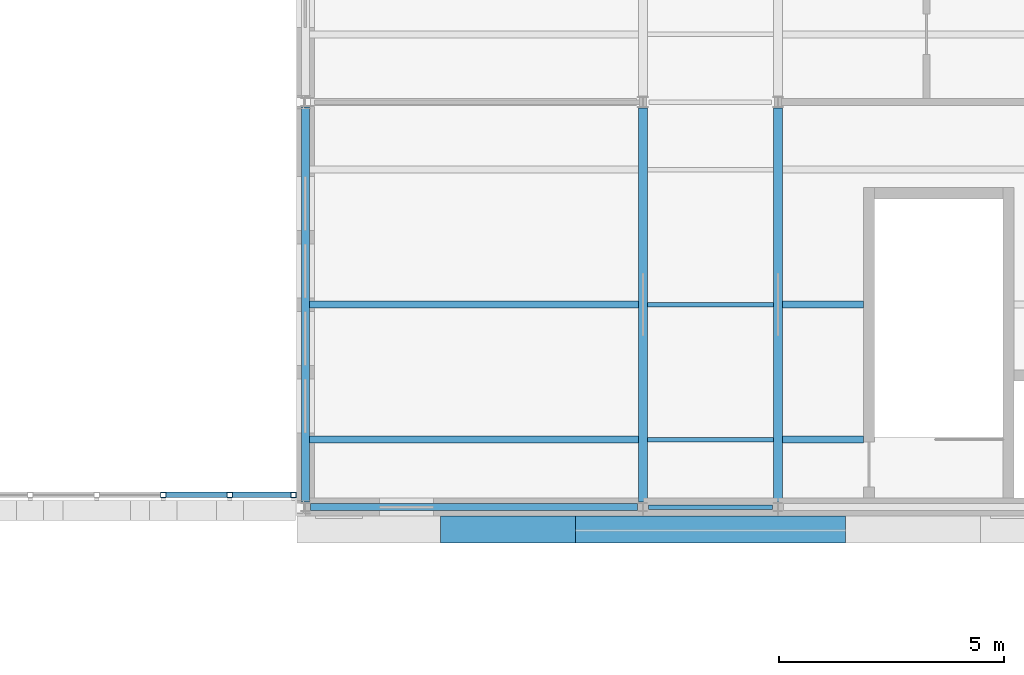
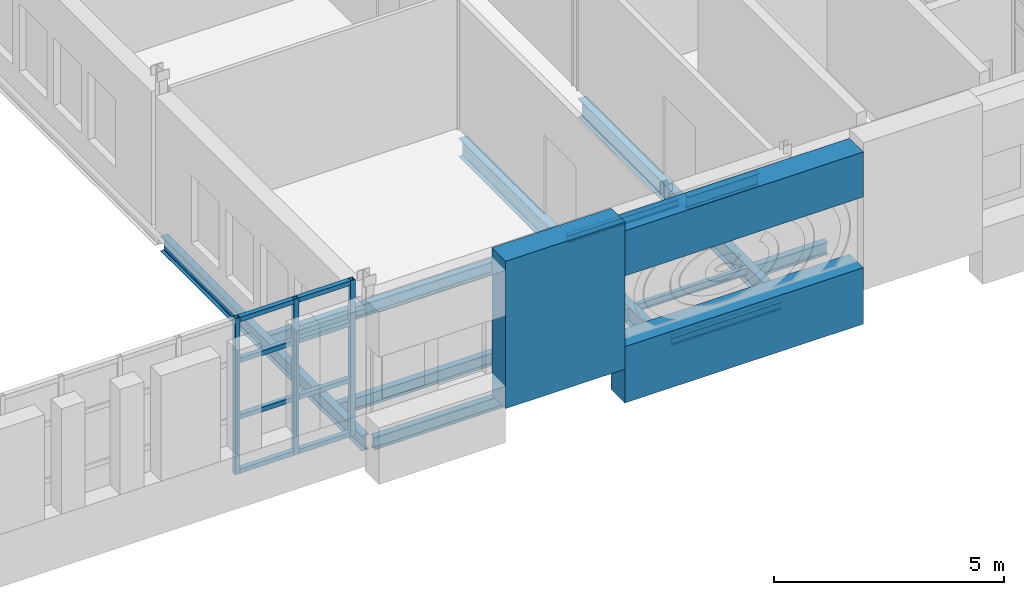
# One storey, part 26 of 154: 13 beams, 12 members, 1 element without a shape of its own.
"""IFC4 building model written with IfcOpenShell, lengths in metres."""

from ifc_helpers import new_model, si_unit, direction, frame, origin, origin_2d, place, context, subcontext, project, spatial, rectangle, hollow_rectangle, i_section, extrude, material, material_profile, profile_set, type_object, element, aggregate, save


model = new_model("IFC4")

# Units and contexts
model_context = context("Model", 3, precision=1e-05, world=origin(), true_north=direction((0.0, 1.0)))
body_context = subcontext(model_context, "Body", "Model", "MODEL_VIEW")
ifc_project = project(units=[si_unit("LENGTHUNIT", "METRE"), si_unit("AREAUNIT", "SQUARE_METRE"), si_unit("VOLUMEUNIT", "CUBIC_METRE"), si_unit("PLANEANGLEUNIT", "RADIAN"), si_unit("MASSUNIT", "GRAM", prefix="KILO")], contexts=[model_context])

# Site, building, storey
site_placement = place(None, origin())
site = spatial("IfcSite", under=ifc_project, at=site_placement, CompositionType="ELEMENT")
building_placement = place(site_placement, origin())
building = spatial("IfcBuilding", under=site, at=building_placement, Name="Golden Quay Civic Hall", CompositionType="ELEMENT")
storey_placement = place(building_placement, frame((0.0, 0.0, 14.39990234375)))
storey = spatial("IfcBuildingStorey", under=building, at=storey_placement, Name="L03", CompositionType="ELEMENT", Elevation=14.39990234375)

# Member
ifc_material_1 = material(Name="Concrete C40/50", Category="concrete")
ifc_material_profile_1 = material_profile(ifc_material_1, rectangle(XDim=3.0, YDim=0.60009765625, at=origin_2d()), Name="RC 3000x600")
ifc_profile_set_1 = profile_set([ifc_material_profile_1], Name="Concrete C40/50")
member_type_1 = type_object("IfcMemberType", Name="Precast concrete facade pier 3000 x 600", PredefinedType="POST", material=ifc_profile_set_1)
member_1_placement = place(storey_placement, frame((103.5, -0.5, 0.0), z_axis=(0.0, 0.0, 1.0), x_axis=(1.0, 0.0, 0.0)))
element("IfcMember", 1, at=member_1_placement, inside=storey, type_object=member_type_1, Name="Precast concrete facade pier 3000 x 600 L03 33", PredefinedType="POST", context=body_context, shape_type="SweptSolid", body=[
    extrude(rectangle(XDim=3.0, YDim=0.60009765625, at=origin_2d()), origin(), (0.0, 0.0, 1.0), 3.920166015625),
])

# Beams
ifc_material_2 = material(Name="Concrete C40/50", Category="concrete")
ifc_material_profile_2 = material_profile(ifc_material_2, rectangle(XDim=0.60009765625, YDim=1.199951171875, at=origin_2d()), Name="RC 600x1200")
ifc_profile_set_2 = profile_set([ifc_material_profile_2], Name="Concrete C40/50")
beam_type_1 = type_object("IfcBeamType", Name="Precast concrete spandrel beam 600 x 1200", PredefinedType="SPANDREL", material=ifc_profile_set_2)
beam_1_placement = place(storey_placement, frame((105.0, -0.5, 3.080078125), z_axis=(1.0, 0.0, 0.0), x_axis=(0.0, 1.0, 0.0)))
element("IfcBeam", 2, at=beam_1_placement, inside=storey, type_object=beam_type_1, Name="Precast concrete spandrel beam 600 x 1200 L03 11", PredefinedType="SPANDREL", context=body_context, shape_type="SweptSolid", body=[
    extrude(rectangle(XDim=0.60009765625, YDim=1.199951171875, at=origin_2d()), origin(), (0.0, 0.0, 1.0), 6.0),
])
ifc_material_3 = material(Name="Concrete C40/50", Category="concrete")
ifc_material_profile_3 = material_profile(ifc_material_3, rectangle(XDim=0.60009765625, YDim=1.5, at=origin_2d()), Name="RC 600x1500")
ifc_profile_set_3 = profile_set([ifc_material_profile_3], Name="Concrete C40/50")
beam_type_2 = type_object("IfcBeamType", Name="Precast concrete spandrel beam 600 x 1500", PredefinedType="SPANDREL", material=ifc_profile_set_3)
beam_2_placement = place(storey_placement, frame((105.0, -0.5, -0.14990234375), z_axis=(1.0, 0.0, 0.0), x_axis=(0.0, 1.0, 0.0)))
element("IfcBeam", 3, at=beam_2_placement, inside=storey, type_object=beam_type_2, Name="Precast concrete spandrel beam 600 x 1500 L03 30", PredefinedType="SPANDREL", context=body_context, shape_type="SweptSolid", body=[
    extrude(rectangle(XDim=0.60009765625, YDim=1.5, at=origin_2d()), origin(), (0.0, 0.0, 1.0), 6.0),
])
ifc_material_4 = material(Name="Steel S355", Category="steel")
ifc_material_profile_4 = material_profile(ifc_material_4, i_section(OverallWidth=0.10009765625, OverallDepth=0.199951171875, WebThickness=0.005615234375, FlangeThickness=0.008544921875, FilletRadius=0.011962890625, at=origin_2d()), Name="IPE 200")
ifc_profile_set_4 = profile_set([ifc_material_profile_4], Name="Steel S355")
beam_type_3 = type_object("IfcBeamType", Name="Steel beam IPE 200", PredefinedType="BEAM", material=ifc_profile_set_4)
beam_3_placement = place(storey_placement, frame((106.6201171875, 0.0, -0.2998046875), z_axis=(1.0, 0.0, 0.0), x_axis=(0.0, 1.0, 0.0)))
element("IfcBeam", 4, at=beam_3_placement, inside=storey, type_object=beam_type_3, Name="Beam S0-106.5", PredefinedType="BEAM", context=body_context, shape_type="SweptSolid", body=[
    extrude(i_section(OverallWidth=0.10009765625, OverallDepth=0.199951171875, WebThickness=0.005615234375, FlangeThickness=0.008544921875, FilletRadius=0.011962890625, at=origin_2d()), origin(), (0.0, 0.0, 1.0), 2.759765625),
])
ifc_material_5 = material(Name="Steel S355", Category="steel")
ifc_material_profile_5 = material_profile(ifc_material_5, i_section(OverallWidth=0.159912109375, OverallDepth=0.330078125, WebThickness=0.007568359375, FlangeThickness=0.011474609375, FilletRadius=0.01806640625, at=origin_2d()), Name="IPE 330")
ifc_profile_set_5 = profile_set([ifc_material_profile_5], Name="Steel S355")
beam_type_4 = type_object("IfcBeamType", Name="Steel beam IPE 330", PredefinedType="BEAM", material=ifc_profile_set_5)
beam_4_placement = place(storey_placement, frame((99.1201171875, 0.0, -0.364990234375), z_axis=(1.0, 0.0, 0.0), x_axis=(0.0, 1.0, 0.0)))
element("IfcBeam", 5, at=beam_4_placement, inside=storey, type_object=beam_type_4, Name="Beam S0-99", PredefinedType="BEAM", context=body_context, shape_type="SweptSolid", body=[
    extrude(i_section(OverallWidth=0.159912109375, OverallDepth=0.330078125, WebThickness=0.007568359375, FlangeThickness=0.011474609375, FilletRadius=0.01806640625, at=origin_2d()), origin(), (0.0, 0.0, 1.0), 7.259765625),
])
ifc_material_6 = material(Name="Steel S355", Category="steel")
ifc_material_profile_6 = material_profile(ifc_material_6, i_section(OverallWidth=0.179931640625, OverallDepth=0.39990234375, WebThickness=0.008544921875, FlangeThickness=0.013427734375, FilletRadius=0.02099609375, at=origin_2d()), Name="IPE 400")
ifc_profile_set_6 = profile_set([ifc_material_profile_6], Name="Steel S355")
beam_type_5 = type_object("IfcBeamType", Name="Steel beam IPE 400", PredefinedType="BEAM", material=ifc_profile_set_6)
beam_5_placement = place(storey_placement, frame((99.0, 0.114990234375, -0.39990234375), z_axis=(0.0, 1.0, 0.0), x_axis=(-1.0, 0.0, 0.0)))
element("IfcBeam", 6, at=beam_5_placement, inside=storey, type_object=beam_type_5, Name="Beam L99-0", PredefinedType="BEAM", context=body_context, shape_type="SweptSolid", body=[
    extrude(i_section(OverallWidth=0.179931640625, OverallDepth=0.39990234375, WebThickness=0.008544921875, FlangeThickness=0.013427734375, FilletRadius=0.02099609375, at=origin_2d()), origin(), (0.0, 0.0, 1.0), 8.77001953125),
])
ifc_material_7 = material(Name="Steel S355", Category="steel")
ifc_material_profile_7 = material_profile(ifc_material_7, i_section(OverallWidth=0.199951171875, OverallDepth=0.5, WebThickness=0.01025390625, FlangeThickness=0.01611328125, FilletRadius=0.02099609375, at=origin_2d()), Name="IPE 500")
ifc_profile_set_7 = profile_set([ifc_material_profile_7], Name="Steel S355")
beam_type_6 = type_object("IfcBeamType", Name="Steel beam IPE 500", PredefinedType="BEAM", material=ifc_profile_set_7)
for number, where, z_axis, x_axis, name in (
    (7, (106.5, 0.114990234375, -0.449951171875), (0.0, 1.0, 0.0), (-1.0, 0.0, 0.0), "Beam L106.5-0"),
    (8, (109.5, 0.114990234375, -0.449951171875), (0.0, 1.0, 0.0), (-1.0, 0.0, 0.0), "Beam L109.5-0"),
):
    element("IfcBeam", number, at=place(storey_placement, frame(where, z_axis=z_axis, x_axis=x_axis)), inside=storey, type_object=beam_type_6, Name=name, PredefinedType="BEAM", context=body_context, shape_type="SweptSolid", body=[
        extrude(i_section(OverallWidth=0.199951171875, OverallDepth=0.5, WebThickness=0.01025390625, FlangeThickness=0.01611328125, FilletRadius=0.02099609375, at=origin_2d()), origin(), (0.0, 0.0, 1.0), 8.75),
    ])
ifc_material_8 = material(Name="Steel S355", Category="steel")
ifc_material_profile_8 = material_profile(ifc_material_8, i_section(OverallWidth=0.10009765625, OverallDepth=0.199951171875, WebThickness=0.005615234375, FlangeThickness=0.008544921875, FilletRadius=0.011962890625, at=origin_2d()), Name="IPE 200")
ifc_profile_set_8 = profile_set([ifc_material_profile_8], Name="Steel S355")
beam_type_7 = type_object("IfcBeamType", Name="Steel joist IPE 200", PredefinedType="JOIST", material=ifc_profile_set_8)
for number, where, z_axis, x_axis, name in (
    (9, (106.60009765625, 1.5, -0.2998046875), (1.0, 0.0, 0.0), (0.0, 1.0, 0.0), "Joist J1.5-106.5"),
    (10, (106.60009765625, 4.5, -0.2998046875), (1.0, 0.0, 0.0), (0.0, 1.0, 0.0), "Joist J4.5-106.5"),
):
    element("IfcBeam", number, at=place(storey_placement, frame(where, z_axis=z_axis, x_axis=x_axis)), inside=storey, type_object=beam_type_7, Name=name, PredefinedType="JOIST", context=body_context, shape_type="SweptSolid", body=[
        extrude(i_section(OverallWidth=0.10009765625, OverallDepth=0.199951171875, WebThickness=0.005615234375, FlangeThickness=0.008544921875, FilletRadius=0.011962890625, at=origin_2d()), origin(), (0.0, 0.0, 1.0), 2.7998046875),
    ])
ifc_material_9 = material(Name="Steel S355", Category="steel")
ifc_material_profile_9 = material_profile(ifc_material_9, i_section(OverallWidth=0.159912109375, OverallDepth=0.330078125, WebThickness=0.007568359375, FlangeThickness=0.011474609375, FilletRadius=0.01806640625, at=origin_2d()), Name="IPE 330")
ifc_profile_set_9 = profile_set([ifc_material_profile_9], Name="Steel S355")
beam_type_8 = type_object("IfcBeamType", Name="Steel joist IPE 330", PredefinedType="JOIST", material=ifc_profile_set_9)
beam_6_placement = place(storey_placement, frame((99.090087890625, 1.5, -0.364990234375), z_axis=(1.0, 0.0, 0.0), x_axis=(0.0, 1.0, 0.0)))
element("IfcBeam", 11, at=beam_6_placement, inside=storey, type_object=beam_type_8, Name="Joist J1.5-99", PredefinedType="JOIST", context=body_context, shape_type="SweptSolid", body=[
    extrude(i_section(OverallWidth=0.159912109375, OverallDepth=0.330078125, WebThickness=0.007568359375, FlangeThickness=0.011474609375, FilletRadius=0.01806640625, at=origin_2d()), origin(), (0.0, 0.0, 1.0), 7.309814453125),
])
beam_7_placement = place(storey_placement, frame((109.60009765625, 1.5, -0.364990234375), z_axis=(1.0, 0.0, 0.0), x_axis=(0.0, 1.0, 0.0)))
element("IfcBeam", 12, at=beam_7_placement, inside=storey, type_object=beam_type_8, Name="Joist J1.5-109.5-0", PredefinedType="JOIST", context=body_context, shape_type="SweptSolid", body=[
    extrude(i_section(OverallWidth=0.159912109375, OverallDepth=0.330078125, WebThickness=0.007568359375, FlangeThickness=0.011474609375, FilletRadius=0.01806640625, at=origin_2d()), origin(), (0.0, 0.0, 1.0), 1.7998046875),
])
beam_8_placement = place(storey_placement, frame((99.090087890625, 4.5, -0.364990234375), z_axis=(1.0, 0.0, 0.0), x_axis=(0.0, 1.0, 0.0)))
element("IfcBeam", 13, at=beam_8_placement, inside=storey, type_object=beam_type_8, Name="Joist J4.5-99", PredefinedType="JOIST", context=body_context, shape_type="SweptSolid", body=[
    extrude(i_section(OverallWidth=0.159912109375, OverallDepth=0.330078125, WebThickness=0.007568359375, FlangeThickness=0.011474609375, FilletRadius=0.01806640625, at=origin_2d()), origin(), (0.0, 0.0, 1.0), 7.309814453125),
])
beam_9_placement = place(storey_placement, frame((109.60009765625, 4.5, -0.364990234375), z_axis=(1.0, 0.0, 0.0), x_axis=(0.0, 1.0, 0.0)))
element("IfcBeam", 14, at=beam_9_placement, inside=storey, type_object=beam_type_8, Name="Joist J4.5-109.5-0", PredefinedType="JOIST", context=body_context, shape_type="SweptSolid", body=[
    extrude(i_section(OverallWidth=0.159912109375, OverallDepth=0.330078125, WebThickness=0.007568359375, FlangeThickness=0.011474609375, FilletRadius=0.01806640625, at=origin_2d()), origin(), (0.0, 0.0, 1.0), 1.7998046875),
])

# Curtain wall, members
ifc_material_10 = material(Name="Glass and aluminium", Category="aluminium")
curtain_wall_type = type_object("IfcCurtainWallType", Name="Glazed curtain wall 1500 module", PredefinedType="NOTDEFINED", material=ifc_material_10)
curtain_wall_placement = place(storey_placement, origin())
curtain_wall = element("IfcCurtainWall", 15, at=curtain_wall_placement, inside=storey, type_object=curtain_wall_type, Name="CW1 curtain wall", PredefinedType="NOTDEFINED")
ifc_material_11 = material(Name="Steel S355", Category="steel")
ifc_material_profile_10 = material_profile(ifc_material_11, hollow_rectangle(XDim=0.1201171875, YDim=0.1201171875, WallThickness=0.008056640625, at=origin_2d()), Name="SHS 120x120x8")
ifc_profile_set_10 = profile_set([ifc_material_profile_10], Name="Steel S355")
member_type_2 = type_object("IfcMemberType", Name="Steel mullion SHS 120x120x8", PredefinedType="MULLION", material=ifc_profile_set_10)
member_2_placement = place(storey_placement, frame((95.844482421875, 0.27001953125, -0.199951171875), z_axis=(0.0, 0.0, 1.0), x_axis=(0.0, 1.0, 0.0)))
member_2 = element("IfcMember", 16, at=member_2_placement, type_object=member_type_2, Name="CW1 mullion 17", PredefinedType="MULLION", context=body_context, shape_type="SweptSolid", body=[
    extrude(hollow_rectangle(XDim=0.1201171875, YDim=0.1201171875, WallThickness=0.008056640625, at=origin_2d()), origin(), (0.0, 0.0, 1.0), 4.150146484375),
])
member_3_placement = place(storey_placement, frame((97.322265625, 0.27001953125, -0.199951171875), z_axis=(0.0, 0.0, 1.0), x_axis=(0.0, 1.0, 0.0)))
member_3 = element("IfcMember", 17, at=member_3_placement, type_object=member_type_2, Name="CW1 mullion 18", PredefinedType="MULLION", context=body_context, shape_type="SweptSolid", body=[
    extrude(hollow_rectangle(XDim=0.1201171875, YDim=0.1201171875, WallThickness=0.008056640625, at=origin_2d()), origin(), (0.0, 0.0, 1.0), 4.150146484375),
])
member_4_placement = place(storey_placement, frame((98.739990234375, 0.27001953125, -0.199951171875), z_axis=(0.0, 0.0, 1.0), x_axis=(0.0, 1.0, 0.0)))
member_4 = element("IfcMember", 18, at=member_4_placement, type_object=member_type_2, Name="CW1 mullion 19", PredefinedType="MULLION", context=body_context, shape_type="SweptSolid", body=[
    extrude(hollow_rectangle(XDim=0.1201171875, YDim=0.1201171875, WallThickness=0.008056640625, at=origin_2d()), origin(), (0.0, 0.0, 1.0), 4.150146484375),
])
ifc_material_12 = material(Name="Steel S355", Category="steel")
ifc_material_profile_11 = material_profile(ifc_material_12, hollow_rectangle(XDim=0.1201171875, YDim=0.1201171875, WallThickness=0.008056640625, at=origin_2d()), Name="SHS 120x120x8")
ifc_profile_set_11 = profile_set([ifc_material_profile_11], Name="Steel S355")
member_type_3 = type_object("IfcMemberType", Name="Steel transom SHS 120x120x8", PredefinedType="USERDEFINED", material=ifc_profile_set_11)
member_5_placement = place(storey_placement, frame((95.904541015625, 0.27001953125, -0.139892578125), z_axis=(1.0, 0.0, 0.0), x_axis=(0.0, 1.0, 0.0)))
member_5 = element("IfcMember", 19, at=member_5_placement, type_object=member_type_3, Name="CW1 transom 17.1", ObjectType="TRANSOM", PredefinedType="USERDEFINED", context=body_context, shape_type="SweptSolid", body=[
    extrude(hollow_rectangle(XDim=0.1201171875, YDim=0.1201171875, WallThickness=0.008056640625, at=origin_2d()), origin(), (0.0, 0.0, 1.0), 1.357666015625),
])
member_6_placement = place(storey_placement, frame((95.904541015625, 0.27001953125, 1.300048828125), z_axis=(1.0, 0.0, 0.0), x_axis=(0.0, 1.0, 0.0)))
member_6 = element("IfcMember", 20, at=member_6_placement, type_object=member_type_3, Name="CW1 transom 17.2", ObjectType="TRANSOM", PredefinedType="USERDEFINED", context=body_context, shape_type="SweptSolid", body=[
    extrude(hollow_rectangle(XDim=0.1201171875, YDim=0.1201171875, WallThickness=0.008056640625, at=origin_2d()), origin(), (0.0, 0.0, 1.0), 1.357666015625),
])
member_7_placement = place(storey_placement, frame((95.904541015625, 0.27001953125, 2.800048828125), z_axis=(1.0, 0.0, 0.0), x_axis=(0.0, 1.0, 0.0)))
member_7 = element("IfcMember", 21, at=member_7_placement, type_object=member_type_3, Name="CW1 transom 17.3", ObjectType="TRANSOM", PredefinedType="USERDEFINED", context=body_context, shape_type="SweptSolid", body=[
    extrude(hollow_rectangle(XDim=0.1201171875, YDim=0.1201171875, WallThickness=0.008056640625, at=origin_2d()), origin(), (0.0, 0.0, 1.0), 1.357666015625),
])
member_8_placement = place(storey_placement, frame((95.904541015625, 0.27001953125, 3.89013671875), z_axis=(1.0, 0.0, 0.0), x_axis=(0.0, 1.0, 0.0)))
member_8 = element("IfcMember", 22, at=member_8_placement, type_object=member_type_3, Name="CW1 transom 17.4", ObjectType="TRANSOM", PredefinedType="USERDEFINED", context=body_context, shape_type="SweptSolid", body=[
    extrude(hollow_rectangle(XDim=0.1201171875, YDim=0.1201171875, WallThickness=0.008056640625, at=origin_2d()), origin(), (0.0, 0.0, 1.0), 1.357666015625),
])
member_9_placement = place(storey_placement, frame((97.38232421875, 0.27001953125, -0.139892578125), z_axis=(1.0, 0.0, 0.0), x_axis=(0.0, 1.0, 0.0)))
member_9 = element("IfcMember", 23, at=member_9_placement, type_object=member_type_3, Name="CW1 transom 18.1", ObjectType="TRANSOM", PredefinedType="USERDEFINED", context=body_context, shape_type="SweptSolid", body=[
    extrude(hollow_rectangle(XDim=0.1201171875, YDim=0.1201171875, WallThickness=0.008056640625, at=origin_2d()), origin(), (0.0, 0.0, 1.0), 1.297607421875),
])
member_10_placement = place(storey_placement, frame((97.38232421875, 0.27001953125, 1.300048828125), z_axis=(1.0, 0.0, 0.0), x_axis=(0.0, 1.0, 0.0)))
member_10 = element("IfcMember", 24, at=member_10_placement, type_object=member_type_3, Name="CW1 transom 18.2", ObjectType="TRANSOM", PredefinedType="USERDEFINED", context=body_context, shape_type="SweptSolid", body=[
    extrude(hollow_rectangle(XDim=0.1201171875, YDim=0.1201171875, WallThickness=0.008056640625, at=origin_2d()), origin(), (0.0, 0.0, 1.0), 1.297607421875),
])
member_11_placement = place(storey_placement, frame((97.38232421875, 0.27001953125, 2.800048828125), z_axis=(1.0, 0.0, 0.0), x_axis=(0.0, 1.0, 0.0)))
member_11 = element("IfcMember", 25, at=member_11_placement, type_object=member_type_3, Name="CW1 transom 18.3", ObjectType="TRANSOM", PredefinedType="USERDEFINED", context=body_context, shape_type="SweptSolid", body=[
    extrude(hollow_rectangle(XDim=0.1201171875, YDim=0.1201171875, WallThickness=0.008056640625, at=origin_2d()), origin(), (0.0, 0.0, 1.0), 1.297607421875),
])
member_12_placement = place(storey_placement, frame((97.38232421875, 0.27001953125, 3.89013671875), z_axis=(1.0, 0.0, 0.0), x_axis=(0.0, 1.0, 0.0)))
member_12 = element("IfcMember", 26, at=member_12_placement, type_object=member_type_3, Name="CW1 transom 18.4", ObjectType="TRANSOM", PredefinedType="USERDEFINED", context=body_context, shape_type="SweptSolid", body=[
    extrude(hollow_rectangle(XDim=0.1201171875, YDim=0.1201171875, WallThickness=0.008056640625, at=origin_2d()), origin(), (0.0, 0.0, 1.0), 1.297607421875),
])
aggregate(curtain_wall, [member_2, member_3, member_4, member_5, member_6, member_7, member_8, member_9, member_10, member_11, member_12])

save(model, "model.ifc")
